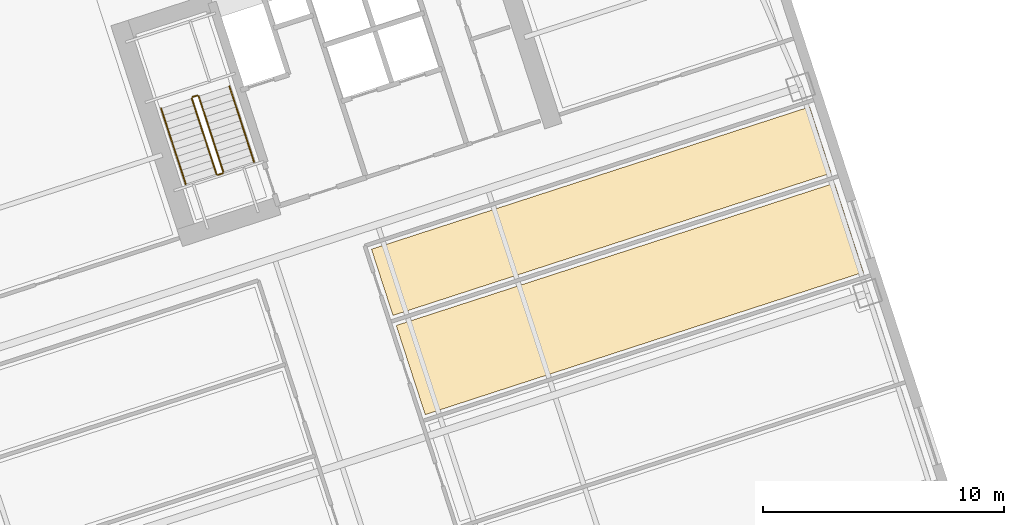
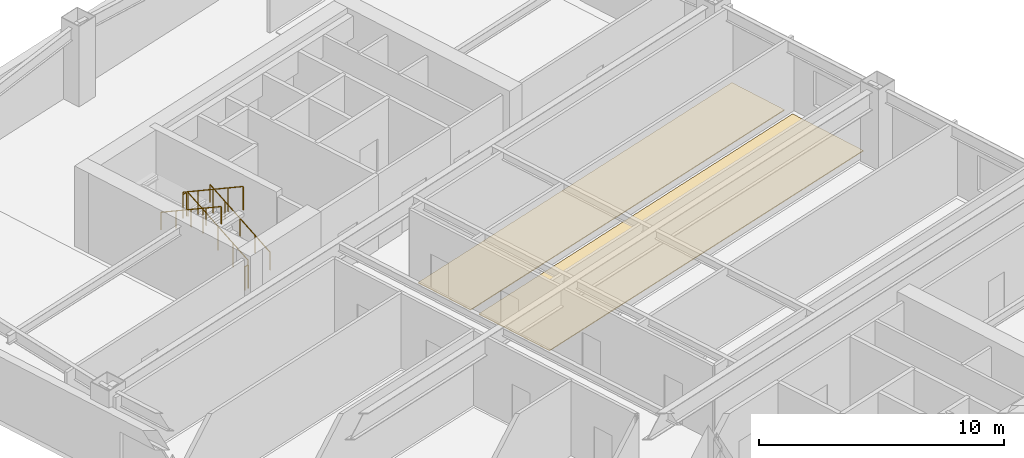
# One storey, part 23 of 24: 6 railings, 2 coverings.
"""IFC4 building model written with IfcOpenShell, lengths in metres."""

import ifcopenshell
import ifcopenshell.guid

model = None  # the IFC model being written
_history = None  # IfcOwnerHistory: only IFC2X3 demands one
_inside = {}  # id of a spatial element -> (the spatial element, [elements in it])
_under = {}  # id of a project, library or spatial element -> (it, [spatial elements below it])
_declared = {}  # id of a project -> (the project, [libraries it declares])
_typed = {}  # id of a type object -> (the type object, [elements of that type])
_made_of = {}  # id of a material, layer set ... -> (it, [elements and type objects made of it])


def new_model(schema):
    """Start an empty IFC model of exactly this schema.

    Asked for "IFC4X3", IfcOpenShell would pick the latest addendum, in which some entities
    have other attributes; the version numbers below select the first issue.
    IFC2X3 requires an IfcOwnerHistory on every rooted entity: one is made here for all.
    """
    global model, _history
    if schema == "IFC4X3":
        model = ifcopenshell.file(schema_version=(4, 3, 0, 0))
    else:
        model = ifcopenshell.file(schema=schema)
    _inside.clear()
    _under.clear()
    _declared.clear()
    _typed.clear()
    _made_of.clear()
    _history = None
    if model.schema == "IFC2X3":
        org = make("IfcOrganization", Name="unknown")
        user = make(
            "IfcPersonAndOrganization",
            ThePerson=make("IfcPerson", FamilyName="unknown"),
            TheOrganization=org,
        )
        app = make(
            "IfcApplication",
            ApplicationDeveloper=org,
            Version="unknown",
            ApplicationFullName="unknown",
            ApplicationIdentifier="unknown",
        )
        _history = make(
            "IfcOwnerHistory",
            OwningUser=user,
            OwningApplication=app,
            ChangeAction="ADDED",
            CreationDate=0,
        )
    return model


def make(cls, **values):
    """One entity of the class cls with the attributes given. An attribute that is None is left unset."""
    return model.create_entity(
        cls, **{name: value for name, value in values.items() if value is not None}
    )


def rooted(cls, **values):
    """An entity with a GlobalId (a new one), such as an element, a storey or a relation."""
    return make(cls, GlobalId=ifcopenshell.guid.new(), OwnerHistory=_history, **values)


def si_unit(unit_type, name, prefix=None):
    """IfcSIUnit, for example si_unit("LENGTHUNIT", "METRE", prefix="MILLI")."""
    return make("IfcSIUnit", UnitType=unit_type, Prefix=prefix, Name=name)


def assignment(units):
    """IfcUnitAssignment: the units of a project."""
    return None if units is None else make("IfcUnitAssignment", Units=units)


def point(xyz):
    """IfcCartesianPoint."""
    return None if xyz is None else make("IfcCartesianPoint", Coordinates=xyz)


def direction(xyz):
    """IfcDirection."""
    return None if xyz is None else make("IfcDirection", DirectionRatios=xyz)


def frame(location, z_axis=None, x_axis=None):
    """IfcAxis2Placement3D, a coordinate frame: its origin and axes. An axis left out is left unset."""
    return make(
        "IfcAxis2Placement3D",
        Location=point(location),
        Axis=direction(z_axis),
        RefDirection=direction(x_axis),
    )


def frame_2d(location, x_axis=None):
    """IfcAxis2Placement2D, a coordinate frame in the plane: its origin and x axis."""
    return make(
        "IfcAxis2Placement2D", Location=point(location), RefDirection=direction(x_axis)
    )


def origin():
    """The frame at (0, 0, 0) with its axes left unset."""
    return frame((0.0, 0.0, 0.0))


def origin_2d():
    """The frame at (0, 0) in the plane with its x axis left unset."""
    return frame_2d((0.0, 0.0))


def place(relative_to, where):
    """IfcLocalPlacement: puts the frame where relative to a parent placement (None: the world)."""
    return make(
        "IfcLocalPlacement", PlacementRelTo=relative_to, RelativePlacement=where
    )


def context(
    kind, dimensions, precision=None, world=None, true_north=None, identifier=None
):
    """IfcGeometricRepresentationContext, for example the 3D "Model" context."""
    return make(
        "IfcGeometricRepresentationContext",
        ContextIdentifier=identifier,
        ContextType=kind,
        CoordinateSpaceDimension=dimensions,
        Precision=precision,
        WorldCoordinateSystem=world,
        TrueNorth=true_north,
    )


def subcontext(parent, identifier, kind, view, scale=None):
    """IfcGeometricRepresentationSubContext, for example "Body" below "Model"."""
    return make(
        "IfcGeometricRepresentationSubContext",
        ContextIdentifier=identifier,
        ContextType=kind,
        ParentContext=parent,
        TargetScale=scale,
        TargetView=view,
    )


def project(units=None, contexts=None):
    """IfcProject with its units and contexts."""
    return rooted(
        "IfcProject",
        Name="project",
        RepresentationContexts=contexts,
        UnitsInContext=assignment(units),
    )


def spatial(cls, under=None, at=None, **own):
    """A site, building, storey or space (cls), placed at a placement, below another one or the project."""
    s = rooted(cls, ObjectPlacement=at, **own)
    if under is not None:
        _under.setdefault(under.id(), (under, []))[1].append(s)
    return s


def polyline(points):
    """IfcPolyline through the points."""
    return make("IfcPolyline", Points=[point(p) for p in points])


def profile(cls, at=None, kind="AREA", **sizes):
    """A parametric profile (cls). Its sizes go by their IFC names, for example OverallWidth=200.0."""
    return make(cls, ProfileType=kind, Position=at, **sizes)


def circle(**sizes):
    """IfcCircleProfileDef."""
    return profile("IfcCircleProfileDef", **sizes)


def outline(outer, holes=None, kind="AREA"):
    """IfcArbitraryClosedProfileDef: a profile drawn as a closed curve; with holes, ...WithVoids."""
    if holes is None:
        return make("IfcArbitraryClosedProfileDef", ProfileType=kind, OuterCurve=outer)
    return make(
        "IfcArbitraryProfileDefWithVoids",
        ProfileType=kind,
        OuterCurve=outer,
        InnerCurves=holes,
    )


def extrude(swept, where, along, depth):
    """IfcExtrudedAreaSolid: the profile swept, set in the frame where, extruded along a direction by depth."""
    return make(
        "IfcExtrudedAreaSolid",
        SweptArea=swept,
        Position=where,
        ExtrudedDirection=direction(along),
        Depth=depth,
    )


def shape(context_of_items, identifier, shape_type, items):
    """IfcShapeRepresentation: the items that make up one representation, for example the "Body"."""
    return make(
        "IfcShapeRepresentation",
        ContextOfItems=context_of_items,
        RepresentationIdentifier=identifier,
        RepresentationType=shape_type,
        Items=items,
    )


def material(Name=None, Category=None):
    """IfcMaterial."""
    return make("IfcMaterial", Name=Name, Category=Category)


def layer(
    of_material, thickness, ventilated=None, Name=None, Category=None, Priority=None
):
    """IfcMaterialLayer: one layer of a wall or slab, of a material (None: an air gap)."""
    return make(
        "IfcMaterialLayer",
        Material=of_material,
        LayerThickness=thickness,
        IsVentilated=ventilated,
        Name=Name,
        Category=Category,
        Priority=Priority,
    )


def layer_set(layers, Name=None):
    """IfcMaterialLayerSet."""
    return make("IfcMaterialLayerSet", MaterialLayers=layers, LayerSetName=Name)


def made_of(thing, what):
    """Note that an element or type object is made of a material, layer set ...; save() writes the relation."""
    if what is not None:
        _made_of.setdefault(what.id(), (what, []))[1].append(thing)
    return thing


def type_object(cls, material=None, **own):
    """A type object (cls), such as IfcWallType, which elements share."""
    return made_of(rooted(cls, **own), material)


def element(
    cls,
    number,
    at=None,
    inside=None,
    cuts=None,
    type_object=None,
    material=None,
    context=None,
    identifier="Body",
    shape_type=None,
    held_by="IfcProductDefinitionShape",
    body=None,
    shapes=None,
    **own,
):
    """One element of the class cls, such as IfcWall. Its Tag is "e" and its number.

    at: its placement. inside: the storey or other place that contains it. cuts: it is an
    opening in that element (IfcRelVoidsElement). A single representation is given by context,
    identifier, shape_type and body (its items); several are given by shapes. held_by: the class
    of the entity that holds the representations. save() writes the other relations.
    """
    e = rooted(cls, Tag="e%d" % number, ObjectPlacement=at, **own)
    if body is not None:
        shapes = [shape(context, identifier, shape_type, body)]
    if shapes is not None:
        e.Representation = make(held_by, Representations=shapes)
    if inside is not None:
        _inside.setdefault(inside.id(), (inside, []))[1].append(e)
    if cuts is not None:
        rooted(
            "IfcRelVoidsElement", RelatingBuildingElement=cuts, RelatedOpeningElement=e
        )
    if type_object is not None:
        _typed.setdefault(type_object.id(), (type_object, []))[1].append(e)
    return made_of(e, material)


def aggregate(whole, parts):
    """IfcRelAggregates: a whole, such as a stair, and the parts it consists of."""
    return rooted("IfcRelAggregates", RelatingObject=whole, RelatedObjects=parts)


def save(model, path):
    """Write the relations noted so far, then the file.

    IfcRelAggregates (storeys below a building ...), IfcRelContainedInSpatialStructure (elements
    in a storey), IfcRelDefinesByType, IfcRelAssociatesMaterial and IfcRelDeclares: one each for
    every whole, place, type object, material and project.
    """
    for whole, parts in _under.values():
        aggregate(whole, parts)
    for where, things in _inside.values():
        rooted(
            "IfcRelContainedInSpatialStructure",
            RelatedElements=things,
            RelatingStructure=where,
        )
    for kind, things in _typed.values():
        rooted("IfcRelDefinesByType", RelatedObjects=things, RelatingType=kind)
    for what, things in _made_of.values():
        rooted("IfcRelAssociatesMaterial", RelatedObjects=things, RelatingMaterial=what)
    for by, libraries in _declared.values():
        rooted("IfcRelDeclares", RelatingContext=by, RelatedDefinitions=libraries)
    model.write(path)


model = new_model("IFC4")

# Units and contexts
model_context = context("Model", 3, precision=1e-05, world=origin(), true_north=direction((0.0, 1.0)))
body_context = subcontext(model_context, "Body", "Model", "MODEL_VIEW")
ifc_project = project(units=[si_unit("LENGTHUNIT", "METRE"), si_unit("AREAUNIT", "SQUARE_METRE"), si_unit("VOLUMEUNIT", "CUBIC_METRE"), si_unit("PLANEANGLEUNIT", "RADIAN"), si_unit("MASSUNIT", "GRAM", prefix="KILO")], contexts=[model_context])

# Site, building, storey
site_placement = place(None, origin())
site = spatial("IfcSite", under=ifc_project, at=site_placement, CompositionType="ELEMENT")
building_placement = place(site_placement, origin())
building = spatial("IfcBuilding", under=site, at=building_placement, Name="Qiaolan Cultural Towers", CompositionType="ELEMENT")
storey_placement = place(building_placement, frame((0.0, 0.0, 30.0)))
storey = spatial("IfcBuildingStorey", under=building, at=storey_placement, Name="L06", CompositionType="ELEMENT", Elevation=30.0)

# Coverings
ifc_material_1 = material(Name="Honed Terrazzo & Raised Access Flooring", Category="concrete")
ifc_layer = layer(ifc_material_1, 0.0400390625)
ifc_layer_set = layer_set([ifc_layer], Name="Honed Terrazzo & Raised Access Flooring")
covering_type = type_object("IfcCoveringType", Name="COV-FLR-STONE", PredefinedType="FLOORING", material=ifc_layer_set)
covering_1_placement = place(storey_placement, origin())
element("IfcCovering", 1, at=covering_1_placement, inside=storey, type_object=covering_type, Name="L06 Tea Pantry Finish Flooring", PredefinedType="FLOORING", context=body_context, shape_type="SweptSolid", body=[
    extrude(outline(polyline([(107.3779296875, 40.57763671875), (106.177001953125, 44.273681640625), (87.99755859375, 38.366943359375), (89.198486328125, 34.670654296875), (107.3779296875, 40.57763671875)])), origin(), (0.0, 0.0, 1.0), 0.0400390625),
])
covering_2_placement = place(storey_placement, origin())
element("IfcCovering", 2, at=covering_2_placement, inside=storey, type_object=covering_type, Name="L06 Design Office Finish Flooring", PredefinedType="FLOORING", context=body_context, shape_type="SweptSolid", body=[
    extrude(outline(polyline([(106.041015625, 44.6923828125), (105.148681640625, 47.43896484375), (86.96923828125, 41.531982421875), (87.861572265625, 38.785400390625), (106.041015625, 44.6923828125)])), origin(), (0.0, 0.0, 1.0), 0.0400390625),
])

# Railings
ifc_material_2 = material(Name="Galvanized Painted Steel Stair Guardrail", Category="steel")
railing_type_1 = type_object("IfcRailingType", Name="RL-STAIR-GRD", PredefinedType="GUARDRAIL", material=ifc_material_2)
railing_1_placement = place(storey_placement, frame((80.822021484375, 44.739501953125, 0.166748046875)))
element("IfcRailing", 3, at=railing_1_placement, inside=storey, type_object=railing_type_1, Name="L06 ST-E2 stair guard 1", PredefinedType="GUARDRAIL", context=body_context, shape_type="SweptSolid", body=[
    extrude(circle(Radius=0.02392578125, at=origin_2d()), frame((0.0, 0.0, 1.17578125), z_axis=(-0.270140520196, 0.831375721119, 0.485632072336), x_axis=(-0.951053095941, -0.309027520945, 0.0)), (0.0, 0.0, 1.0), 3.77490234375),
    extrude(circle(Radius=0.02099609375, at=origin_2d()), origin(), (0.0, 0.0, 1.0), 1.15185546875),
    extrude(circle(Radius=0.02099609375, at=origin_2d()), frame((-0.2548828125, 0.78466796875, 0.458251953125)), (0.0, 0.0, 1.0), 1.15185546875),
    extrude(circle(Radius=0.02099609375, at=origin_2d()), frame((-0.509765625, 1.5693359375, 0.91650390625)), (0.0, 0.0, 1.0), 1.15185546875),
    extrude(circle(Radius=0.02099609375, at=origin_2d()), frame((-0.764892578125, 2.353759765625, 1.375)), (0.0, 0.0, 1.0), 1.15185546875),
    extrude(circle(Radius=0.02099609375, at=origin_2d()), frame((-1.019775390625, 3.138427734375, 1.833251953125)), (0.0, 0.0, 1.0), 1.15185546875),
])
railing_2_placement = place(storey_placement, frame((79.7392578125, 47.91015625, 2.0)))
element("IfcRailing", 4, at=railing_2_placement, inside=storey, type_object=railing_type_1, Name="L06 ST-E2 stair guard 2", PredefinedType="GUARDRAIL", context=body_context, shape_type="SweptSolid", body=[
    extrude(circle(Radius=0.02392578125, at=origin_2d()), frame((0.0, 0.0, 1.17578125), z_axis=(-0.951096855055, -0.308892816854, 0.0), x_axis=(0.308892816854, -0.951096855055, 0.0)), (0.0, 0.0, 1.0), 0.199951171875),
    extrude(circle(Radius=0.02099609375, at=origin_2d()), origin(), (0.0, 0.0, 1.0), 1.15185546875),
    extrude(circle(Radius=0.02099609375, at=origin_2d()), frame((-0.190185546875, -0.061767578125, 0.0)), (0.0, 0.0, 1.0), 1.15185546875),
])
railing_3_placement = place(storey_placement, frame((79.51708984375, 47.785400390625, 2.166748046875)))
element("IfcRailing", 5, at=railing_3_placement, inside=storey, type_object=railing_type_1, Name="L06 ST-E2 stair guard 3", PredefinedType="GUARDRAIL", context=body_context, shape_type="SweptSolid", body=[
    extrude(circle(Radius=0.02392578125, at=origin_2d()), frame((0.0, 0.0, 1.17578125), z_axis=(0.27012599593, -0.831395691566, 0.485605962039), x_axis=(0.951060160437, 0.309005778636, 0.0)), (0.0, 0.0, 1.0), 3.775146484375),
    extrude(circle(Radius=0.02099609375, at=origin_2d()), origin(), (0.0, 0.0, 1.0), 1.15185546875),
    extrude(circle(Radius=0.02099609375, at=origin_2d()), frame((0.2548828125, -0.78466796875, 0.458251953125)), (0.0, 0.0, 1.0), 1.15185546875),
    extrude(circle(Radius=0.02099609375, at=origin_2d()), frame((0.509765625, -1.5693359375, 0.91650390625)), (0.0, 0.0, 1.0), 1.15185546875),
    extrude(circle(Radius=0.02099609375, at=origin_2d()), frame((0.764892578125, -2.35400390625, 1.375)), (0.0, 0.0, 1.0), 1.15185546875),
    extrude(circle(Radius=0.02099609375, at=origin_2d()), frame((1.019775390625, -3.138671875, 1.833251953125)), (0.0, 0.0, 1.0), 1.15185546875),
])
railing_4_placement = place(storey_placement, frame((80.7900390625, 44.676513671875, 0.0)))
element("IfcRailing", 6, at=railing_4_placement, inside=storey, type_object=railing_type_1, Name="L06 ST-E2 stair guard 4", PredefinedType="GUARDRAIL", context=body_context, shape_type="SweptSolid", body=[
    extrude(circle(Radius=0.02392578125, at=origin_2d()), frame((0.0, 0.0, 1.17578125), z_axis=(-0.951096855055, -0.308892816854, 0.0), x_axis=(0.308892816854, -0.951096855055, 0.0)), (0.0, 0.0, 1.0), 0.199951171875),
    extrude(circle(Radius=0.02099609375, at=origin_2d()), origin(), (0.0, 0.0, 1.0), 1.15185546875),
    extrude(circle(Radius=0.02099609375, at=origin_2d()), frame((-0.190185546875, -0.061767578125, 0.0)), (0.0, 0.0, 1.0), 1.15185546875),
])
ifc_material_3 = material(Name="Stainless Steel S30408 Tubular Handrail", Category="steel")
railing_type_2 = type_object("IfcRailingType", Name="RL-STAIR-HR", PredefinedType="HANDRAIL", material=ifc_material_3)
railing_5_placement = place(storey_placement, frame((82.096435546875, 45.153564453125, 0.166748046875)))
element("IfcRailing", 7, at=railing_5_placement, inside=storey, type_object=railing_type_2, Name="L06 ST-E2 stair handrail 1", PredefinedType="HANDRAIL", context=body_context, shape_type="SweptSolid", body=[
    extrude(circle(Radius=0.02392578125, at=origin_2d()), frame((0.0, 0.0, 0.8759765625), z_axis=(-0.270140520196, 0.831375721119, 0.485632072336), x_axis=(-0.951053095941, -0.309027520945, 0.0)), (0.0, 0.0, 1.0), 3.77490234375),
    extrude(circle(Radius=0.02099609375, at=origin_2d()), origin(), (0.0, 0.0, 1.0), 0.851806640625),
    extrude(circle(Radius=0.02099609375, at=origin_2d()), frame((-0.2548828125, 0.78466796875, 0.458251953125)), (0.0, 0.0, 1.0), 0.851806640625),
    extrude(circle(Radius=0.02099609375, at=origin_2d()), frame((-0.509765625, 1.5693359375, 0.91650390625)), (0.0, 0.0, 1.0), 0.851806640625),
    extrude(circle(Radius=0.02099609375, at=origin_2d()), frame((-0.764892578125, 2.353759765625, 1.375)), (0.0, 0.0, 1.0), 0.851806640625),
    extrude(circle(Radius=0.02099609375, at=origin_2d()), frame((-1.019775390625, 3.138427734375, 1.833251953125)), (0.0, 0.0, 1.0), 0.851806640625),
])
railing_6_placement = place(storey_placement, frame((78.24267578125, 47.37109375, 2.166748046875)))
element("IfcRailing", 8, at=railing_6_placement, inside=storey, type_object=railing_type_2, Name="L06 ST-E2 stair handrail 2", PredefinedType="HANDRAIL", context=body_context, shape_type="SweptSolid", body=[
    extrude(circle(Radius=0.02392578125, at=origin_2d()), frame((0.0, 0.0, 0.8759765625), z_axis=(0.270140520196, -0.831375721119, 0.485632072336), x_axis=(0.951053095941, 0.309027520945, 0.0)), (0.0, 0.0, 1.0), 3.77490234375),
    extrude(circle(Radius=0.02099609375, at=origin_2d()), origin(), (0.0, 0.0, 1.0), 0.851806640625),
    extrude(circle(Radius=0.02099609375, at=origin_2d()), frame((0.2548828125, -0.78466796875, 0.458251953125)), (0.0, 0.0, 1.0), 0.851806640625),
    extrude(circle(Radius=0.02099609375, at=origin_2d()), frame((0.509765625, -1.5693359375, 0.91650390625)), (0.0, 0.0, 1.0), 0.851806640625),
    extrude(circle(Radius=0.02099609375, at=origin_2d()), frame((0.764892578125, -2.353759765625, 1.375)), (0.0, 0.0, 1.0), 0.851806640625),
    extrude(circle(Radius=0.02099609375, at=origin_2d()), frame((1.019775390625, -3.138427734375, 1.833251953125)), (0.0, 0.0, 1.0), 0.851806640625),
])

save(model, "model.ifc")
